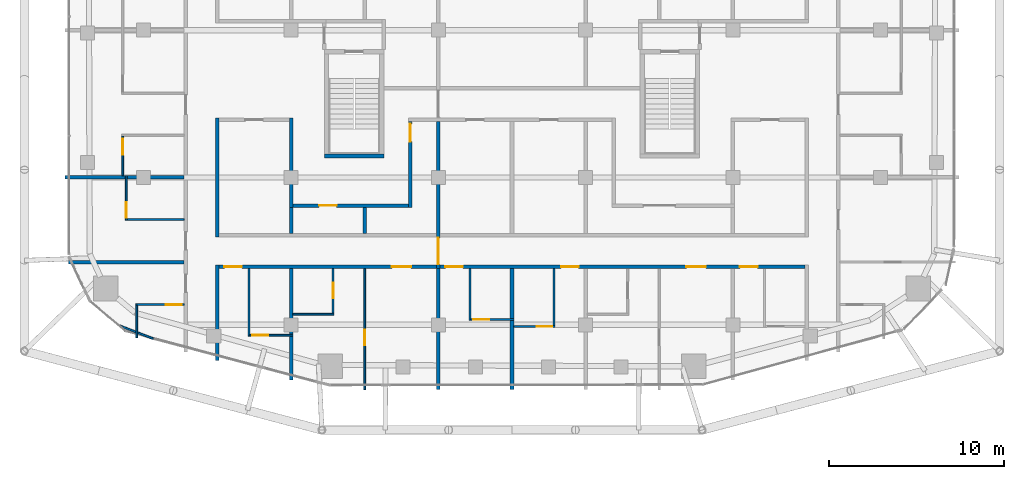
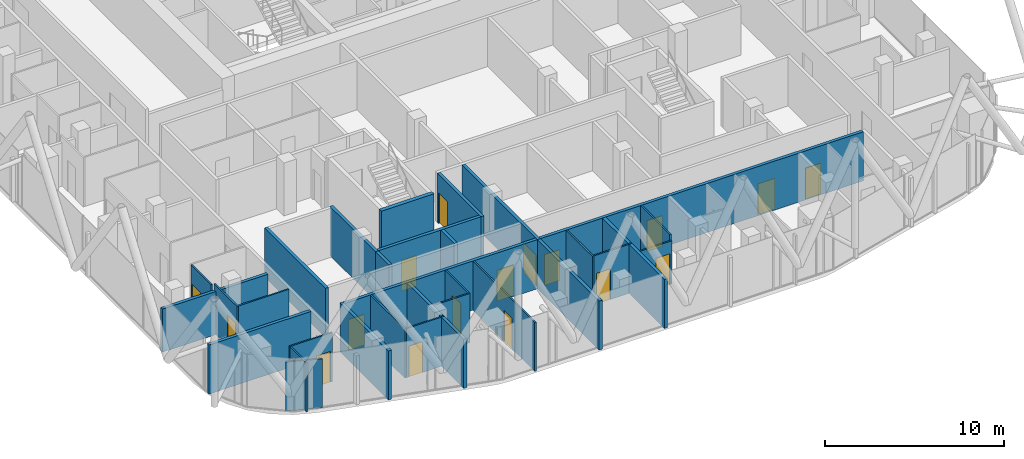
# One storey, part 23 of 31: 30 walls, 17 doors, 17 openings.
"""IFC4 building model written with IfcOpenShell, lengths in metres."""

from ifc_helpers import new_model, si_unit, direction, frame, frame_2d, origin, place, context, subcontext, project, spatial, rectangle, extrude, material, layer, layer_set, type_object, element, fill, save


model = new_model("IFC4")

# Units and contexts
model_context = context("Model", 3, precision=1e-05, world=origin(), true_north=direction((0.0, 1.0)))
body_context = subcontext(model_context, "Body", "Model", "MODEL_VIEW")
ifc_project = project(units=[si_unit("LENGTHUNIT", "METRE"), si_unit("AREAUNIT", "SQUARE_METRE"), si_unit("VOLUMEUNIT", "CUBIC_METRE"), si_unit("PLANEANGLEUNIT", "RADIAN"), si_unit("MASSUNIT", "GRAM", prefix="KILO")], contexts=[model_context])

# Site, building, storey
site_placement = place(None, origin())
site = spatial("IfcSite", under=ifc_project, at=site_placement, CompositionType="ELEMENT")
building_placement = place(site_placement, origin())
building = spatial("IfcBuilding", under=site, at=building_placement, Name="Marenta Gate Hotel Tower", CompositionType="ELEMENT")
storey_placement = place(building_placement, frame((0.0, 0.0, 234.5)))
storey = spatial("IfcBuildingStorey", under=building, at=storey_placement, Name="L55", CompositionType="ELEMENT", Elevation=234.5)

# Wall
ifc_material_1 = material(Name="Concrete blockwork", Category="masonry")
ifc_layer_1 = layer(ifc_material_1, 0.199951171875)
ifc_layer_set_1 = layer_set([ifc_layer_1], Name="Concrete blockwork")
wall_type_1 = type_object("IfcWallType", Name="Compartment wall 200 REI 180", PredefinedType="PARTITIONING", material=ifc_layer_set_1)
wall_1_placement = place(storey_placement, frame((-4.199951171875, -28.89990234375, 0.0), z_axis=(0.0, 0.0, 1.0), x_axis=(0.0, 1.0, 0.0)))
element("IfcWall", 1, at=wall_1_placement, inside=storey, type_object=wall_type_1, Name="L55-PTN-W078", PredefinedType="PARTITIONING", context=body_context, shape_type="SweptSolid", body=[
    extrude(rectangle(XDim=6.89990234375, YDim=0.199951171875, at=frame_2d((3.449951171875, 0.0))), origin(), (0.0, 0.0, 1.0), 3.340087890625),
])

# Wall, opening, door
wall_2_placement = place(storey_placement, frame((-4.199951171875, -22.0, 0.0), z_axis=(0.0, 0.0, 1.0), x_axis=(0.0, 1.0, 0.0)))
wall_2 = element("IfcWall", 2, at=wall_2_placement, inside=storey, type_object=wall_type_1, Name="L55-PTN-W079", PredefinedType="PARTITIONING", context=body_context, shape_type="SweptSolid", body=[
    extrude(rectangle(XDim=8.39990234375, YDim=0.199951171875, at=frame_2d((4.199951171875, 0.0))), origin(), (0.0, 0.0, 1.0), 3.340087890625),
])
opening_1_placement = place(wall_2_placement, frame((0.25, 0.0, 0.0)))
opening_1 = element("IfcOpeningElement", 3, at=opening_1_placement, cuts=wall_2, Name="Opening G20-FD4", PredefinedType="OPENING", context=body_context, shape_type="SweptSolid", body=[
    extrude(rectangle(XDim=1.5, YDim=2.10009765625, at=frame_2d((0.75, 1.050048828125))), frame((0.0, 0.10009765625, 0.0), z_axis=(0.0, -1.0, 0.0), x_axis=(1.0, 0.0, 0.0)), (0.0, 0.0, 1.0), 0.199951171875),
])
ifc_material_2 = material(Name="Hollow steel door set", Category="steel")
door_type_1 = type_object("IfcDoorType", Name="Compartment fire door 1500x2100 EI 60", OperationType="DOUBLE_DOOR_DOUBLE_SWING", PredefinedType="DOOR", material=ifc_material_2)
door_1_placement = place(opening_1_placement, origin())
door_1 = element("IfcDoor", 4, at=door_1_placement, inside=storey, type_object=door_type_1, Name="L55-PD-FD04", OperationType="DOUBLE_DOOR_DOUBLE_SWING", OverallHeight=2.10009765625, OverallWidth=1.5, PredefinedType="DOOR", context=body_context, shape_type="SweptSolid", body=[
    extrude(rectangle(XDim=1.5, YDim=2.10009765625, at=frame_2d((0.75, 1.050048828125))), frame((0.0, 0.02490234375, 0.0), z_axis=(0.0, -1.0, 0.0), x_axis=(1.0, 0.0, 0.0)), (0.0, 0.0, 1.0), 0.050048828125),
])
fill(opening_1, door_1)

# Wall
ifc_material_3 = material(Name="Concrete C40", Category="concrete")
ifc_layer_2 = layer(ifc_material_3, 0.25)
ifc_layer_set_2 = layer_set([ifc_layer_2], Name="Concrete C40")
wall_type_2 = type_object("IfcWallType", Name="Remote stair enclosure wall 250 REI 180", PredefinedType="SHEAR", material=ifc_layer_set_2)
wall_3_placement = place(storey_placement, frame((-10.699951171875, -15.574951171875, 0.10009765625), z_axis=(0.0, 0.0, 1.0), x_axis=(1.0, 0.0, 0.0)))
element("IfcWall", 5, at=wall_3_placement, inside=storey, type_object=wall_type_2, Name="L55-RS-Z3-1-W1", PredefinedType="SHEAR", context=body_context, shape_type="SweptSolid", body=[
    extrude(rectangle(XDim=3.39990234375, YDim=0.25, at=frame_2d((1.699951171875, 0.0))), origin(), (0.0, 0.0, 1.0), 3.599853515625),
])

# Wall, openings, doors
ifc_material_4 = material(Name="Gypsum board on steel stud", Category="steel")
ifc_layer_3 = layer(ifc_material_4, 0.199951171875)
ifc_layer_set_3 = layer_set([ifc_layer_3], Name="Gypsum board on steel stud")
wall_type_3 = type_object("IfcWallType", Name="Room corridor wall 200 EI 60", PredefinedType="PARTITIONING", material=ifc_layer_set_3)
wall_4_placement = place(storey_placement, frame((-16.699951171875, -21.89990234375, 0.0), z_axis=(0.0, 0.0, 1.0), x_axis=(1.0, 0.0, 0.0)))
wall_4 = element("IfcWall", 6, at=wall_4_placement, inside=storey, type_object=wall_type_3, Name="L55-PTN-W015", PredefinedType="PARTITIONING", context=body_context, shape_type="SweptSolid", body=[
    extrude(rectangle(XDim=33.39990234375, YDim=0.199951171875, at=frame_2d((16.699951171875, 0.0))), origin(), (0.0, 0.0, 1.0), 3.340087890625),
])
opening_2_placement = place(wall_4_placement, frame((0.300048828125, 0.0, 0.0)))
opening_2 = element("IfcOpeningElement", 7, at=opening_2_placement, cuts=wall_4, Name="Opening G20-38", PredefinedType="OPENING", context=body_context, shape_type="SweptSolid", body=[
    extrude(rectangle(XDim=1.0, YDim=2.10009765625, at=frame_2d((0.5, 1.050048828125))), frame((0.0, 0.10009765625, 0.0), z_axis=(0.0, -1.0, 0.0), x_axis=(1.0, 0.0, 0.0)), (0.0, 0.0, 1.0), 0.199951171875),
])
opening_3_placement = place(wall_4_placement, frame((9.85009765625, 0.0, 0.0)))
opening_3 = element("IfcOpeningElement", 8, at=opening_3_placement, cuts=wall_4, Name="Opening G20-40", PredefinedType="OPENING", context=body_context, shape_type="SweptSolid", body=[
    extrude(rectangle(XDim=1.10009765625, YDim=2.10009765625, at=frame_2d((0.550048828125, 1.050048828125))), frame((0.0, 0.10009765625, 0.0), z_axis=(0.0, -1.0, 0.0), x_axis=(1.0, 0.0, 0.0)), (0.0, 0.0, 1.0), 0.199951171875),
])
opening_4_placement = place(wall_4_placement, frame((12.89990234375, 0.0, 0.0)))
opening_4 = element("IfcOpeningElement", 9, at=opening_4_placement, cuts=wall_4, Name="Opening G20-43", PredefinedType="OPENING", context=body_context, shape_type="SweptSolid", body=[
    extrude(rectangle(XDim=1.0, YDim=2.10009765625, at=frame_2d((0.5, 1.050048828125))), frame((0.0, 0.10009765625, 0.0), z_axis=(0.0, -1.0, 0.0), x_axis=(1.0, 0.0, 0.0)), (0.0, 0.0, 1.0), 0.199951171875),
])
opening_5_placement = place(wall_4_placement, frame((19.5, 0.0, 0.0)))
opening_5 = element("IfcOpeningElement", 10, at=opening_5_placement, cuts=wall_4, Name="Opening G20-45", PredefinedType="OPENING", context=body_context, shape_type="SweptSolid", body=[
    extrude(rectangle(XDim=1.0, YDim=2.10009765625, at=frame_2d((0.5, 1.050048828125))), frame((0.0, 0.10009765625, 0.0), z_axis=(0.0, -1.0, 0.0), x_axis=(1.0, 0.0, 0.0)), (0.0, 0.0, 1.0), 0.199951171875),
])
opening_6_placement = place(wall_4_placement, frame((26.64990234375, 0.0, 0.0)))
opening_6 = element("IfcOpeningElement", 11, at=opening_6_placement, cuts=wall_4, Name="Opening G20-47", PredefinedType="OPENING", context=body_context, shape_type="SweptSolid", body=[
    extrude(rectangle(XDim=1.10009765625, YDim=2.10009765625, at=frame_2d((0.550048828125, 1.050048828125))), frame((0.0, 0.10009765625, 0.0), z_axis=(0.0, -1.0, 0.0), x_axis=(1.0, 0.0, 0.0)), (0.0, 0.0, 1.0), 0.199951171875),
])
opening_7_placement = place(wall_4_placement, frame((29.699951171875, 0.0, 0.0)))
opening_7 = element("IfcOpeningElement", 12, at=opening_7_placement, cuts=wall_4, Name="Opening G20-50", PredefinedType="OPENING", context=body_context, shape_type="SweptSolid", body=[
    extrude(rectangle(XDim=1.0, YDim=2.10009765625, at=frame_2d((0.5, 1.050048828125))), frame((0.0, 0.10009765625, 0.0), z_axis=(0.0, -1.0, 0.0), x_axis=(1.0, 0.0, 0.0)), (0.0, 0.0, 1.0), 0.199951171875),
])
ifc_material_5 = material(Name="Timber door leaf", Category="wood")
door_type_2 = type_object("IfcDoorType", Name="Guest room door 1000x2100 EI 30", OperationType="NOTDEFINED", PredefinedType="DOOR", material=ifc_material_5)
door_2_placement = place(opening_2_placement, origin())
door_2 = element("IfcDoor", 13, at=door_2_placement, inside=storey, type_object=door_type_2, Name="L55-PD-D038", OperationType="SINGLE_SWING_RIGHT", OverallHeight=2.10009765625, OverallWidth=1.0, PredefinedType="DOOR", context=body_context, shape_type="SweptSolid", body=[
    extrude(rectangle(XDim=1.0, YDim=2.10009765625, at=frame_2d((0.5, 1.050048828125))), frame((0.0, 0.02490234375, 0.0), z_axis=(0.0, -1.0, 0.0), x_axis=(1.0, 0.0, 0.0)), (0.0, 0.0, 1.0), 0.050048828125),
])
fill(opening_2, door_2)
door_3_placement = place(opening_4_placement, origin())
door_3 = element("IfcDoor", 14, at=door_3_placement, inside=storey, type_object=door_type_2, Name="L55-PD-D043", OperationType="SINGLE_SWING_LEFT", OverallHeight=2.10009765625, OverallWidth=1.0, PredefinedType="DOOR", context=body_context, shape_type="SweptSolid", body=[
    extrude(rectangle(XDim=1.0, YDim=2.10009765625, at=frame_2d((0.5, 1.050048828125))), frame((0.0, 0.02490234375, 0.0), z_axis=(0.0, -1.0, 0.0), x_axis=(1.0, 0.0, 0.0)), (0.0, 0.0, 1.0), 0.050048828125),
])
fill(opening_4, door_3)
door_4_placement = place(opening_5_placement, origin())
door_4 = element("IfcDoor", 15, at=door_4_placement, inside=storey, type_object=door_type_2, Name="L55-PD-D045", OperationType="SINGLE_SWING_LEFT", OverallHeight=2.10009765625, OverallWidth=1.0, PredefinedType="DOOR", context=body_context, shape_type="SweptSolid", body=[
    extrude(rectangle(XDim=1.0, YDim=2.10009765625, at=frame_2d((0.5, 1.050048828125))), frame((0.0, 0.02490234375, 0.0), z_axis=(0.0, -1.0, 0.0), x_axis=(1.0, 0.0, 0.0)), (0.0, 0.0, 1.0), 0.050048828125),
])
fill(opening_5, door_4)
door_5_placement = place(opening_7_placement, origin())
door_5 = element("IfcDoor", 16, at=door_5_placement, inside=storey, type_object=door_type_2, Name="L55-PD-D050", OperationType="SINGLE_SWING_RIGHT", OverallHeight=2.10009765625, OverallWidth=1.0, PredefinedType="DOOR", context=body_context, shape_type="SweptSolid", body=[
    extrude(rectangle(XDim=1.0, YDim=2.10009765625, at=frame_2d((0.5, 1.050048828125))), frame((0.0, 0.02490234375, 0.0), z_axis=(0.0, -1.0, 0.0), x_axis=(1.0, 0.0, 0.0)), (0.0, 0.0, 1.0), 0.050048828125),
])
fill(opening_7, door_5)
ifc_material_6 = material(Name="Timber door leaf", Category="wood")
door_type_3 = type_object("IfcDoorType", Name="Guest room door 1100x2100 EI 30", OperationType="NOTDEFINED", PredefinedType="DOOR", material=ifc_material_6)
door_6_placement = place(opening_3_placement, origin())
door_6 = element("IfcDoor", 17, at=door_6_placement, inside=storey, type_object=door_type_3, Name="L55-PD-D040", OperationType="SINGLE_SWING_RIGHT", OverallHeight=2.10009765625, OverallWidth=1.10009765625, PredefinedType="DOOR", context=body_context, shape_type="SweptSolid", body=[
    extrude(rectangle(XDim=1.10009765625, YDim=2.10009765625, at=frame_2d((0.550048828125, 1.050048828125))), frame((0.0, 0.02490234375, 0.0), z_axis=(0.0, -1.0, 0.0), x_axis=(1.0, 0.0, 0.0)), (0.0, 0.0, 1.0), 0.050048828125),
])
fill(opening_3, door_6)
door_7_placement = place(opening_6_placement, origin())
door_7 = element("IfcDoor", 18, at=door_7_placement, inside=storey, type_object=door_type_3, Name="L55-PD-D047", OperationType="SINGLE_SWING_LEFT", OverallHeight=2.10009765625, OverallWidth=1.10009765625, PredefinedType="DOOR", context=body_context, shape_type="SweptSolid", body=[
    extrude(rectangle(XDim=1.10009765625, YDim=2.10009765625, at=frame_2d((0.550048828125, 1.050048828125))), frame((0.0, 0.02490234375, 0.0), z_axis=(0.0, -1.0, 0.0), x_axis=(1.0, 0.0, 0.0)), (0.0, 0.0, 1.0), 0.050048828125),
])
fill(opening_6, door_7)

# Wall, opening, door
wall_5_placement = place(storey_placement, frame((-12.5, -18.39990234375, 0.0), z_axis=(0.0, 0.0, 1.0), x_axis=(1.0, 0.0, 0.0)))
wall_5 = element("IfcWall", 19, at=wall_5_placement, inside=storey, type_object=wall_type_3, Name="L55-PTN-W024", PredefinedType="PARTITIONING", context=body_context, shape_type="SweptSolid", body=[
    extrude(rectangle(XDim=6.60009765625, YDim=0.199951171875, at=frame_2d((3.300048828125, 0.0))), origin(), (0.0, 0.0, 1.0), 3.340087890625),
])
opening_8_placement = place(wall_5_placement, frame((1.5, 0.0, 0.0)))
opening_8 = element("IfcOpeningElement", 20, at=opening_8_placement, cuts=wall_5, Name="Opening G20-11", PredefinedType="OPENING", context=body_context, shape_type="SweptSolid", body=[
    extrude(rectangle(XDim=1.0, YDim=2.10009765625, at=frame_2d((0.5, 1.050048828125))), frame((0.0, 0.10009765625, 0.0), z_axis=(0.0, -1.0, 0.0), x_axis=(1.0, 0.0, 0.0)), (0.0, 0.0, 1.0), 0.199951171875),
])
ifc_material_7 = material(Name="Timber door leaf", Category="wood")
door_type_4 = type_object("IfcDoorType", Name="Room amenity door 1000x2100 EI 30", OperationType="NOTDEFINED", PredefinedType="DOOR", material=ifc_material_7)
door_8_placement = place(opening_8_placement, origin())
door_8 = element("IfcDoor", 21, at=door_8_placement, inside=storey, type_object=door_type_4, Name="L55-PD-D011", OperationType="SINGLE_SWING_RIGHT", OverallHeight=2.10009765625, OverallWidth=1.0, PredefinedType="DOOR", context=body_context, shape_type="SweptSolid", body=[
    extrude(rectangle(XDim=1.0, YDim=2.10009765625, at=frame_2d((0.5, 1.050048828125))), frame((0.0, 0.02490234375, 0.0), z_axis=(0.0, -1.0, 0.0), x_axis=(1.0, 0.0, 0.0)), (0.0, 0.0, 1.0), 0.050048828125),
])
fill(opening_8, door_8)

wall_6_placement = place(storey_placement, frame((-5.800048828125, -18.5, 0.0), z_axis=(0.0, 0.0, 1.0), x_axis=(0.0, 1.0, 0.0)))
wall_6 = element("IfcWall", 22, at=wall_6_placement, inside=storey, type_object=wall_type_3, Name="L55-PTN-W084", PredefinedType="PARTITIONING", context=body_context, shape_type="SweptSolid", body=[
    extrude(rectangle(XDim=4.89990234375, YDim=0.199951171875, at=frame_2d((2.449951171875, 0.0))), origin(), (0.0, 0.0, 1.0), 3.340087890625),
])
opening_9_placement = place(wall_6_placement, frame((3.75, 0.0, 0.0)))
opening_9 = element("IfcOpeningElement", 23, at=opening_9_placement, cuts=wall_6, Name="Opening G20-12", PredefinedType="OPENING", context=body_context, shape_type="SweptSolid", body=[
    extrude(rectangle(XDim=1.0, YDim=2.10009765625, at=frame_2d((0.5, 1.050048828125))), frame((0.0, 0.10009765625, 0.0), z_axis=(0.0, -1.0, 0.0), x_axis=(1.0, 0.0, 0.0)), (0.0, 0.0, 1.0), 0.199951171875),
])
door_9_placement = place(opening_9_placement, origin())
door_9 = element("IfcDoor", 24, at=door_9_placement, inside=storey, type_object=door_type_4, Name="L55-PD-D012", OperationType="SINGLE_SWING_RIGHT", OverallHeight=2.10009765625, OverallWidth=1.0, PredefinedType="DOOR", context=body_context, shape_type="SweptSolid", body=[
    extrude(rectangle(XDim=1.0, YDim=2.10009765625, at=frame_2d((0.5, 1.050048828125))), frame((0.0, 0.02490234375, 0.0), z_axis=(0.0, -1.0, 0.0), x_axis=(1.0, 0.0, 0.0)), (0.0, 0.0, 1.0), 0.050048828125),
])
fill(opening_9, door_9)

# Walls
wall_7_placement = place(storey_placement, frame((-12.60009765625, -18.5, 0.0), z_axis=(0.0, 0.0, 1.0), x_axis=(0.0, 1.0, 0.0)))
element("IfcWall", 25, at=wall_7_placement, inside=storey, type_object=wall_type_3, Name="L55-PTN-W101", PredefinedType="PARTITIONING", context=body_context, shape_type="SweptSolid", body=[
    extrude(rectangle(XDim=5.10009765625, YDim=0.199951171875, at=frame_2d((2.550048828125, 0.0))), origin(), (0.0, 0.0, 1.0), 3.340087890625),
])
wall_8_placement = place(storey_placement, frame((-16.800048828125, -27.22900390625, 0.0), z_axis=(0.0, 0.0, 1.0), x_axis=(0.0, 1.0, 0.0)))
element("IfcWall", 26, at=wall_8_placement, inside=storey, type_object=wall_type_3, Name="L55-PTN-W107", PredefinedType="PARTITIONING", context=body_context, shape_type="SweptSolid", body=[
    extrude(rectangle(XDim=5.428955078125, YDim=0.199951171875, at=frame_2d((2.71435546875, 0.0))), origin(), (0.0, 0.0, 1.0), 3.340087890625),
])
wall_9_placement = place(storey_placement, frame((-16.800048828125, -20.199951171875, 0.0), z_axis=(0.0, 0.0, 1.0), x_axis=(0.0, 1.0, 0.0)))
element("IfcWall", 27, at=wall_9_placement, inside=storey, type_object=wall_type_3, Name="L55-PTN-W108", PredefinedType="PARTITIONING", context=body_context, shape_type="SweptSolid", body=[
    extrude(rectangle(XDim=6.800048828125, YDim=0.199951171875, at=frame_2d((3.39990234375, 0.0))), origin(), (0.0, 0.0, 1.0), 3.340087890625),
])
ifc_material_8 = material(Name="Gypsum board on steel stud", Category="steel")
ifc_layer_4 = layer(ifc_material_8, 0.10009765625)
ifc_layer_set_4 = layer_set([ifc_layer_4], Name="Gypsum board on steel stud")
wall_type_4 = type_object("IfcWallType", Name="Room partition 100", PredefinedType="PARTITIONING", material=ifc_layer_set_4)
wall_10_placement = place(storey_placement, frame((-22.385986328125, -25.2470703125, 0.0), z_axis=(0.0, 0.0, 1.0), x_axis=(0.932741240306, -0.360546499959, 0.0)))
element("IfcWall", 28, at=wall_10_placement, inside=storey, type_object=wall_type_4, Name="L55-PTN-W001", PredefinedType="PARTITIONING", context=body_context, shape_type="SweptSolid", body=[
    extrude(rectangle(XDim=2.06591796875, YDim=0.10009765625, at=frame_2d((1.032958984375, 0.0))), origin(), (0.0, 0.0, 1.0), 3.340087890625),
])

# Wall, opening, door
wall_11_placement = place(storey_placement, frame((-14.949951171875, -25.800048828125, 0.0), z_axis=(0.0, 0.0, 1.0), x_axis=(1.0, 0.0, 0.0)))
wall_11 = element("IfcWall", 29, at=wall_11_placement, inside=storey, type_object=wall_type_4, Name="L55-PTN-W002", PredefinedType="PARTITIONING", context=body_context, shape_type="SweptSolid", body=[
    extrude(rectangle(XDim=2.449951171875, YDim=0.10009765625, at=frame_2d((1.22509765625, 0.0))), origin(), (0.0, 0.0, 1.0), 3.340087890625),
])
opening_10_placement = place(wall_11_placement, frame((0.14990234375, 0.0, 0.0)))
opening_10 = element("IfcOpeningElement", 30, at=opening_10_placement, cuts=wall_11, Name="Opening G20-39", PredefinedType="OPENING", context=body_context, shape_type="SweptSolid", body=[
    extrude(rectangle(XDim=0.89990234375, YDim=2.10009765625, at=frame_2d((0.449951171875, 1.050048828125))), frame((0.0, 0.050048828125, 0.0), z_axis=(0.0, -1.0, 0.0), x_axis=(1.0, 0.0, 0.0)), (0.0, 0.0, 1.0), 0.10009765625),
])
ifc_material_9 = material(Name="Timber door leaf", Category="wood")
door_type_5 = type_object("IfcDoorType", Name="Guest bathroom door 900x2100", OperationType="NOTDEFINED", PredefinedType="DOOR", material=ifc_material_9)
door_10_placement = place(opening_10_placement, origin())
door_10 = element("IfcDoor", 31, at=door_10_placement, inside=storey, type_object=door_type_5, Name="L55-PD-D039", OperationType="SINGLE_SWING_LEFT", OverallHeight=2.10009765625, OverallWidth=0.89990234375, PredefinedType="DOOR", context=body_context, shape_type="SweptSolid", body=[
    extrude(rectangle(XDim=0.89990234375, YDim=2.10009765625, at=frame_2d((0.449951171875, 1.050048828125))), frame((0.0, 0.02490234375, 0.0), z_axis=(0.0, -1.0, 0.0), x_axis=(1.0, 0.0, 0.0)), (0.0, 0.0, 1.0), 0.050048828125),
])
fill(opening_10, door_10)

wall_12_placement = place(storey_placement, frame((0.10009765625, -25.300048828125, 0.0), z_axis=(0.0, 0.0, 1.0), x_axis=(1.0, 0.0, 0.0)))
wall_12 = element("IfcWall", 32, at=wall_12_placement, inside=storey, type_object=wall_type_4, Name="L55-PTN-W003", PredefinedType="PARTITIONING", context=body_context, shape_type="SweptSolid", body=[
    extrude(rectangle(XDim=2.349853515625, YDim=0.10009765625, at=frame_2d((1.1748046875, 0.0))), origin(), (0.0, 0.0, 1.0), 2.93994140625),
])
opening_11_placement = place(wall_12_placement, frame((1.300048828125, 0.0, 0.0)))
opening_11 = element("IfcOpeningElement", 33, at=opening_11_placement, cuts=wall_12, Name="Opening G20-46", PredefinedType="OPENING", context=body_context, shape_type="SweptSolid", body=[
    extrude(rectangle(XDim=0.89990234375, YDim=2.10009765625, at=frame_2d((0.449951171875, 1.050048828125))), frame((0.0, 0.050048828125, 0.0), z_axis=(0.0, -1.0, 0.0), x_axis=(1.0, 0.0, 0.0)), (0.0, 0.0, 1.0), 0.10009765625),
])
door_11_placement = place(opening_11_placement, origin())
door_11 = element("IfcDoor", 34, at=door_11_placement, inside=storey, type_object=door_type_5, Name="L55-PD-D046", OperationType="SINGLE_SWING_RIGHT", OverallHeight=2.10009765625, OverallWidth=0.89990234375, PredefinedType="DOOR", context=body_context, shape_type="SweptSolid", body=[
    extrude(rectangle(XDim=0.89990234375, YDim=2.10009765625, at=frame_2d((0.449951171875, 1.050048828125))), frame((0.0, 0.02490234375, 0.0), z_axis=(0.0, -1.0, 0.0), x_axis=(1.0, 0.0, 0.0)), (0.0, 0.0, 1.0), 0.050048828125),
])
fill(opening_11, door_11)

wall_13_placement = place(storey_placement, frame((-2.35009765625, -24.89990234375, 0.0), z_axis=(0.0, 0.0, 1.0), x_axis=(1.0, 0.0, 0.0)))
wall_13 = element("IfcWall", 35, at=wall_13_placement, inside=storey, type_object=wall_type_4, Name="L55-PTN-W005", PredefinedType="PARTITIONING", context=body_context, shape_type="SweptSolid", body=[
    extrude(rectangle(XDim=2.4501953125, YDim=0.10009765625, at=frame_2d((1.22509765625, 0.0))), origin(), (0.0, 0.0, 1.0), 3.340087890625),
])
opening_12_placement = place(wall_13_placement, frame((0.14990234375, 0.0, 0.0)))
opening_12 = element("IfcOpeningElement", 36, at=opening_12_placement, cuts=wall_13, Name="Opening G20-44", PredefinedType="OPENING", context=body_context, shape_type="SweptSolid", body=[
    extrude(rectangle(XDim=0.89990234375, YDim=2.10009765625, at=frame_2d((0.449951171875, 1.050048828125))), frame((0.0, 0.050048828125, 0.0), z_axis=(0.0, -1.0, 0.0), x_axis=(1.0, 0.0, 0.0)), (0.0, 0.0, 1.0), 0.10009765625),
])
door_12_placement = place(opening_12_placement, origin())
door_12 = element("IfcDoor", 37, at=door_12_placement, inside=storey, type_object=door_type_5, Name="L55-PD-D044", OperationType="SINGLE_SWING_LEFT", OverallHeight=2.10009765625, OverallWidth=0.89990234375, PredefinedType="DOOR", context=body_context, shape_type="SweptSolid", body=[
    extrude(rectangle(XDim=0.89990234375, YDim=2.10009765625, at=frame_2d((0.449951171875, 1.050048828125))), frame((0.0, 0.02490234375, 0.0), z_axis=(0.0, -1.0, 0.0), x_axis=(1.0, 0.0, 0.0)), (0.0, 0.0, 1.0), 0.050048828125),
])
fill(opening_12, door_12)

# Wall
wall_14_placement = place(storey_placement, frame((-12.5, -24.60009765625, 0.0), z_axis=(0.0, 0.0, 1.0), x_axis=(1.0, 0.0, 0.0)))
element("IfcWall", 38, at=wall_14_placement, inside=storey, type_object=wall_type_4, Name="L55-PTN-W006", PredefinedType="PARTITIONING", context=body_context, shape_type="SweptSolid", body=[
    extrude(rectangle(XDim=2.35009765625, YDim=0.10009765625, at=frame_2d((1.175048828125, 0.0))), origin(), (0.0, 0.0, 1.0), 3.340087890625),
])

# Wall, opening, door
wall_15_placement = place(storey_placement, frame((-21.449951171875, -24.051025390625, 0.0), z_axis=(0.0, 0.0, 1.0), x_axis=(1.0, 0.0, 0.0)))
wall_15 = element("IfcWall", 39, at=wall_15_placement, inside=storey, type_object=wall_type_4, Name="L55-PTN-W008", PredefinedType="PARTITIONING", context=body_context, shape_type="SweptSolid", body=[
    extrude(rectangle(XDim=2.75, YDim=0.10009765625, at=frame_2d((1.375, 0.0))), origin(), (0.0, 0.0, 1.0), 3.340087890625),
])
opening_13_placement = place(wall_15_placement, frame((1.7099609375, 0.0, 0.0)))
opening_13 = element("IfcOpeningElement", 40, at=opening_13_placement, cuts=wall_15, Name="Opening G20-53", PredefinedType="OPENING", context=body_context, shape_type="SweptSolid", body=[
    extrude(rectangle(XDim=0.89990234375, YDim=2.10009765625, at=frame_2d((0.449951171875, 1.050048828125))), frame((0.0, 0.050048828125, 0.0), z_axis=(0.0, -1.0, 0.0), x_axis=(1.0, 0.0, 0.0)), (0.0, 0.0, 1.0), 0.10009765625),
])
door_13_placement = place(opening_13_placement, origin())
door_13 = element("IfcDoor", 41, at=door_13_placement, inside=storey, type_object=door_type_5, Name="L55-PD-D053", OperationType="SINGLE_SWING_LEFT", OverallHeight=2.10009765625, OverallWidth=0.89990234375, PredefinedType="DOOR", context=body_context, shape_type="SweptSolid", body=[
    extrude(rectangle(XDim=0.89990234375, YDim=2.10009765625, at=frame_2d((0.449951171875, 1.050048828125))), frame((0.0, 0.02490234375, 0.0), z_axis=(0.0, -1.0, 0.0), x_axis=(1.0, 0.0, 0.0)), (0.0, 0.0, 1.0), 0.050048828125),
])
fill(opening_13, door_13)

# Walls
for number, where, z_axis, x_axis, name in (
    (42, (-21.949951171875, -19.199951171875, 0.0), (0.0, 0.0, 1.0), (1.0, 0.0, 0.0), "L55-PTN-W022"),
    (43, (2.39990234375, -25.25, 0.0), (0.0, 0.0, 1.0), (0.0, 1.0, 0.0), "L55-PTN-W067"),
):
    element("IfcWall", number, at=place(storey_placement, frame(where, z_axis=z_axis, x_axis=x_axis)), inside=storey, type_object=wall_type_4, Name=name, PredefinedType="PARTITIONING", context=body_context, shape_type="SweptSolid", body=[
        extrude(rectangle(XDim=3.25, YDim=0.10009765625, at=frame_2d((1.625, 0.0))), origin(), (0.0, 0.0, 1.0), 3.340087890625),
    ])
wall_16_placement = place(storey_placement, frame((-2.39990234375, -24.949951171875, 0.0), z_axis=(0.0, 0.0, 1.0), x_axis=(0.0, 1.0, 0.0)))
element("IfcWall", 44, at=wall_16_placement, inside=storey, type_object=wall_type_4, Name="L55-PTN-W077", PredefinedType="PARTITIONING", context=body_context, shape_type="SweptSolid", body=[
    extrude(rectangle(XDim=2.949951171875, YDim=0.10009765625, at=frame_2d((1.47509765625, 0.0))), origin(), (0.0, 0.0, 1.0), 3.340087890625),
])

# Wall, opening, door
wall_17_placement = place(storey_placement, frame((-8.39990234375, -28.89990234375, 0.0), z_axis=(0.0, 0.0, 1.0), x_axis=(0.0, 1.0, 0.0)))
wall_17 = element("IfcWall", 45, at=wall_17_placement, inside=storey, type_object=wall_type_4, Name="L55-PTN-W088", PredefinedType="PARTITIONING", context=body_context, shape_type="SweptSolid", body=[
    extrude(rectangle(XDim=6.89990234375, YDim=0.10009765625, at=frame_2d((3.449951171875, 0.0))), origin(), (0.0, 0.0, 1.0), 3.340087890625),
])
opening_14_placement = place(wall_17_placement, frame((2.530029296875, 0.0, 0.0)))
opening_14 = element("IfcOpeningElement", 46, at=opening_14_placement, cuts=wall_17, Name="Opening G20-41", PredefinedType="OPENING", context=body_context, shape_type="SweptSolid", body=[
    extrude(rectangle(XDim=0.89990234375, YDim=2.10009765625, at=frame_2d((0.449951171875, 1.050048828125))), frame((0.0, 0.050048828125, 0.0), z_axis=(0.0, -1.0, 0.0), x_axis=(1.0, 0.0, 0.0)), (0.0, 0.0, 1.0), 0.10009765625),
])
ifc_material_10 = material(Name="Timber door leaf", Category="wood")
door_type_6 = type_object("IfcDoorType", Name="Room inner door 900x2100", OperationType="NOTDEFINED", PredefinedType="DOOR", material=ifc_material_10)
door_14_placement = place(opening_14_placement, origin())
door_14 = element("IfcDoor", 47, at=door_14_placement, inside=storey, type_object=door_type_6, Name="L55-PD-D041", OperationType="SINGLE_SWING_LEFT", OverallHeight=2.10009765625, OverallWidth=0.89990234375, PredefinedType="DOOR", context=body_context, shape_type="SweptSolid", body=[
    extrude(rectangle(XDim=0.89990234375, YDim=2.10009765625, at=frame_2d((0.449951171875, 1.050048828125))), frame((0.0, 0.02490234375, 0.0), z_axis=(0.0, -1.0, 0.0), x_axis=(1.0, 0.0, 0.0)), (0.0, 0.0, 1.0), 0.050048828125),
])
fill(opening_14, door_14)

wall_18_placement = place(storey_placement, frame((-10.199951171875, -24.550048828125, 0.0), z_axis=(0.0, 0.0, 1.0), x_axis=(0.0, 1.0, 0.0)))
wall_18 = element("IfcWall", 48, at=wall_18_placement, inside=storey, type_object=wall_type_4, Name="L55-PTN-W093", PredefinedType="PARTITIONING", context=body_context, shape_type="SweptSolid", body=[
    extrude(rectangle(XDim=2.550048828125, YDim=0.10009765625, at=frame_2d((1.27490234375, 0.0))), origin(), (0.0, 0.0, 1.0), 3.340087890625),
])
opening_15_placement = place(wall_18_placement, frame((0.85009765625, 0.0, 0.0)))
opening_15 = element("IfcOpeningElement", 49, at=opening_15_placement, cuts=wall_18, Name="Opening G20-42", PredefinedType="OPENING", context=body_context, shape_type="SweptSolid", body=[
    extrude(rectangle(XDim=0.89990234375, YDim=2.10009765625, at=frame_2d((0.449951171875, 1.050048828125))), frame((0.0, 0.050048828125, 0.0), z_axis=(0.0, -1.0, 0.0), x_axis=(1.0, 0.0, 0.0)), (0.0, 0.0, 1.0), 0.10009765625),
])
door_15_placement = place(opening_15_placement, origin())
door_15 = element("IfcDoor", 50, at=door_15_placement, inside=storey, type_object=door_type_5, Name="L55-PD-D042", OperationType="SINGLE_SWING_RIGHT", OverallHeight=2.10009765625, OverallWidth=0.89990234375, PredefinedType="DOOR", context=body_context, shape_type="SweptSolid", body=[
    extrude(rectangle(XDim=0.89990234375, YDim=2.10009765625, at=frame_2d((0.449951171875, 1.050048828125))), frame((0.0, 0.02490234375, 0.0), z_axis=(0.0, -1.0, 0.0), x_axis=(1.0, 0.0, 0.0)), (0.0, 0.0, 1.0), 0.050048828125),
])
fill(opening_15, door_15)

# Walls
wall_19_placement = place(storey_placement, frame((-15.0, -25.85009765625, 0.0), z_axis=(0.0, 0.0, 1.0), x_axis=(0.0, 1.0, 0.0)))
element("IfcWall", 51, at=wall_19_placement, inside=storey, type_object=wall_type_4, Name="L55-PTN-W106", PredefinedType="PARTITIONING", context=body_context, shape_type="SweptSolid", body=[
    extrude(rectangle(XDim=3.85009765625, YDim=0.10009765625, at=frame_2d((1.925048828125, 0.0))), origin(), (0.0, 0.0, 1.0), 3.340087890625),
])
wall_20_placement = place(storey_placement, frame((-21.39990234375, -25.927978515625, 0.0), z_axis=(0.0, 0.0, 1.0), x_axis=(0.0, 1.0, 0.0)))
element("IfcWall", 52, at=wall_20_placement, inside=storey, type_object=wall_type_4, Name="L55-PTN-W117", PredefinedType="PARTITIONING", context=body_context, shape_type="SweptSolid", body=[
    extrude(rectangle(XDim=1.826904296875, YDim=0.10009765625, at=frame_2d((0.91357421875, 0.0))), origin(), (0.0, 0.0, 1.0), 3.340087890625),
])

# Wall, opening, door
wall_21_placement = place(storey_placement, frame((-22.0, -19.25, 0.0), z_axis=(0.0, 0.0, 1.0), x_axis=(0.0, 1.0, 0.0)))
wall_21 = element("IfcWall", 53, at=wall_21_placement, inside=storey, type_object=wall_type_4, Name="L55-PTN-W123", PredefinedType="PARTITIONING", context=body_context, shape_type="SweptSolid", body=[
    extrude(rectangle(XDim=2.550048828125, YDim=0.10009765625, at=frame_2d((1.27490234375, 0.0))), origin(), (0.0, 0.0, 1.0), 3.340087890625),
])
opening_16_placement = place(wall_21_placement, frame((0.14990234375, 0.0, 0.0)))
opening_16 = element("IfcOpeningElement", 54, at=opening_16_placement, cuts=wall_21, Name="Opening G20-55", PredefinedType="OPENING", context=body_context, shape_type="SweptSolid", body=[
    extrude(rectangle(XDim=0.89990234375, YDim=2.10009765625, at=frame_2d((0.449951171875, 1.050048828125))), frame((0.0, 0.050048828125, 0.0), z_axis=(0.0, -1.0, 0.0), x_axis=(1.0, 0.0, 0.0)), (0.0, 0.0, 1.0), 0.10009765625),
])
door_16_placement = place(opening_16_placement, origin())
door_16 = element("IfcDoor", 55, at=door_16_placement, inside=storey, type_object=door_type_5, Name="L55-PD-D055", OperationType="SINGLE_SWING_RIGHT", OverallHeight=2.10009765625, OverallWidth=0.89990234375, PredefinedType="DOOR", context=body_context, shape_type="SweptSolid", body=[
    extrude(rectangle(XDim=0.89990234375, YDim=2.10009765625, at=frame_2d((0.449951171875, 1.050048828125))), frame((0.0, 0.02490234375, 0.0), z_axis=(0.0, -1.0, 0.0), x_axis=(1.0, 0.0, 0.0)), (0.0, 0.0, 1.0), 0.050048828125),
])
fill(opening_16, door_16)

wall_22_placement = place(storey_placement, frame((-22.199951171875, -16.699951171875, 0.0), z_axis=(0.0, 0.0, 1.0), x_axis=(0.0, 1.0, 0.0)))
wall_22 = element("IfcWall", 56, at=wall_22_placement, inside=storey, type_object=wall_type_4, Name="L55-PTN-W124", PredefinedType="PARTITIONING", context=body_context, shape_type="SweptSolid", body=[
    extrude(rectangle(XDim=2.25, YDim=0.10009765625, at=frame_2d((1.125, 0.0))), origin(), (0.0, 0.0, 1.0), 3.340087890625),
])
opening_17_placement = place(wall_22_placement, frame((1.199951171875, 0.0, 0.0)))
opening_17 = element("IfcOpeningElement", 57, at=opening_17_placement, cuts=wall_22, Name="Opening G20-58", PredefinedType="OPENING", context=body_context, shape_type="SweptSolid", body=[
    extrude(rectangle(XDim=0.89990234375, YDim=2.10009765625, at=frame_2d((0.449951171875, 1.050048828125))), frame((0.0, 0.050048828125, 0.0), z_axis=(0.0, -1.0, 0.0), x_axis=(1.0, 0.0, 0.0)), (0.0, 0.0, 1.0), 0.10009765625),
])
door_17_placement = place(opening_17_placement, origin())
door_17 = element("IfcDoor", 58, at=door_17_placement, inside=storey, type_object=door_type_6, Name="L55-PD-D058", OperationType="SINGLE_SWING_LEFT", OverallHeight=2.10009765625, OverallWidth=0.89990234375, PredefinedType="DOOR", context=body_context, shape_type="SweptSolid", body=[
    extrude(rectangle(XDim=0.89990234375, YDim=2.10009765625, at=frame_2d((0.449951171875, 1.050048828125))), frame((0.0, 0.02490234375, 0.0), z_axis=(0.0, -1.0, 0.0), x_axis=(1.0, 0.0, 0.0)), (0.0, 0.0, 1.0), 0.050048828125),
])
fill(opening_17, door_17)

# Walls
ifc_material_11 = material(Name="Gypsum board on steel stud", Category="steel")
ifc_layer_5 = layer(ifc_material_11, 0.199951171875)
ifc_layer_set_5 = layer_set([ifc_layer_5], Name="Gypsum board on steel stud")
wall_type_5 = type_object("IfcWallType", Name="Room party wall 200 EI 60", PredefinedType="PARTITIONING", material=ifc_layer_set_5)
wall_23_placement = place(storey_placement, frame((-25.27587890625, -21.625, 0.0), z_axis=(0.0, 0.0, 1.0), x_axis=(1.0, 0.0, 0.0)))
element("IfcWall", 59, at=wall_23_placement, inside=storey, type_object=wall_type_5, Name="L55-PTN-W016", PredefinedType="PARTITIONING", context=body_context, shape_type="SweptSolid", body=[
    extrude(rectangle(XDim=6.575927734375, YDim=0.199951171875, at=frame_2d((3.2880859375, 0.0))), origin(), (0.0, 0.0, 1.0), 3.340087890625),
])
wall_24_placement = place(storey_placement, frame((-25.5, -16.800048828125, 0.0), z_axis=(0.0, 0.0, 1.0), x_axis=(1.0, 0.0, 0.0)))
element("IfcWall", 60, at=wall_24_placement, inside=storey, type_object=wall_type_5, Name="L55-PTN-W030", PredefinedType="PARTITIONING", context=body_context, shape_type="SweptSolid", body=[
    extrude(rectangle(XDim=6.800048828125, YDim=0.199951171875, at=frame_2d((3.39990234375, 0.0))), origin(), (0.0, 0.0, 1.0), 2.93994140625),
])
wall_25_placement = place(storey_placement, frame((0.0, -28.89990234375, 0.0), z_axis=(0.0, 0.0, 1.0), x_axis=(0.0, 1.0, 0.0)))
element("IfcWall", 61, at=wall_25_placement, inside=storey, type_object=wall_type_5, Name="L55-PTN-W071", PredefinedType="PARTITIONING", context=body_context, shape_type="SweptSolid", body=[
    extrude(rectangle(XDim=6.89990234375, YDim=0.199951171875, at=frame_2d((3.449951171875, 0.0))), origin(), (0.0, 0.0, 1.0), 3.340087890625),
])
wall_26_placement = place(storey_placement, frame((-8.39990234375, -20.0, 0.0), z_axis=(0.0, 0.0, 1.0), x_axis=(0.0, 1.0, 0.0)))
element("IfcWall", 62, at=wall_26_placement, inside=storey, type_object=wall_type_5, Name="L55-PTN-W089", PredefinedType="PARTITIONING", context=body_context, shape_type="SweptSolid", body=[
    extrude(rectangle(XDim=1.5, YDim=0.199951171875, at=frame_2d((0.75, 0.0))), origin(), (0.0, 0.0, 1.0), 3.340087890625),
])
wall_27_placement = place(storey_placement, frame((-12.60009765625, -28.343017578125, 0.0), z_axis=(0.0, 0.0, 1.0), x_axis=(0.0, 1.0, 0.0)))
element("IfcWall", 63, at=wall_27_placement, inside=storey, type_object=wall_type_5, Name="L55-PTN-W097", PredefinedType="PARTITIONING", context=body_context, shape_type="SweptSolid", body=[
    extrude(rectangle(XDim=6.343017578125, YDim=0.199951171875, at=frame_2d((3.17138671875, 0.0))), origin(), (0.0, 0.0, 1.0), 3.340087890625),
])
wall_28_placement = place(storey_placement, frame((-12.60009765625, -20.0, 0.0), z_axis=(0.0, 0.0, 1.0), x_axis=(0.0, 1.0, 0.0)))
element("IfcWall", 64, at=wall_28_placement, inside=storey, type_object=wall_type_5, Name="L55-PTN-W098", PredefinedType="PARTITIONING", context=body_context, shape_type="SweptSolid", body=[
    extrude(rectangle(XDim=1.5, YDim=0.199951171875, at=frame_2d((0.75, 0.0))), origin(), (0.0, 0.0, 1.0), 3.340087890625),
])

save(model, "model.ifc")
